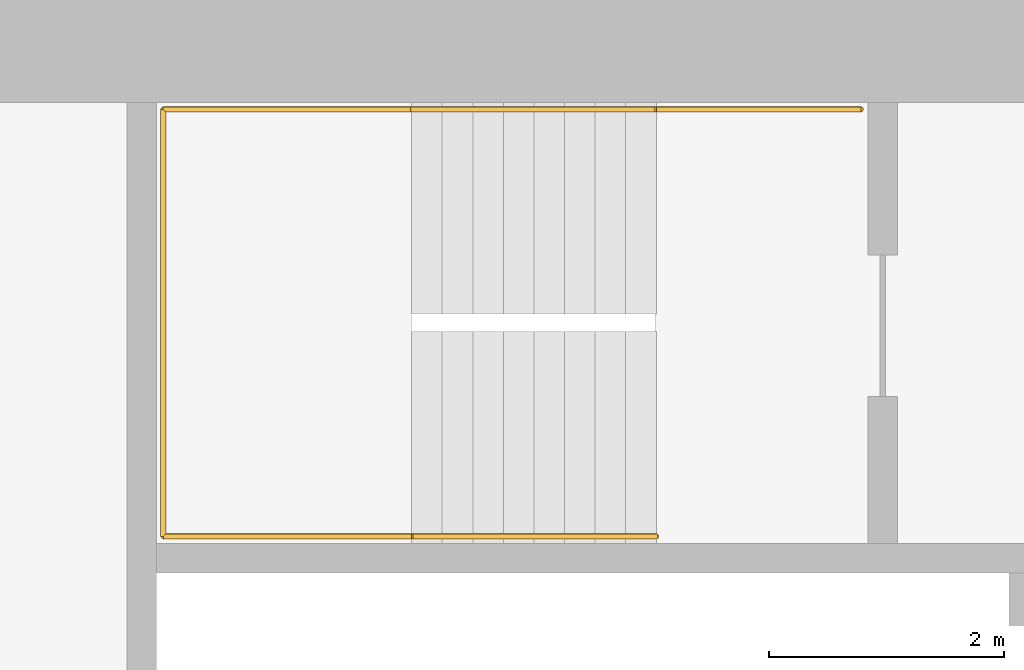
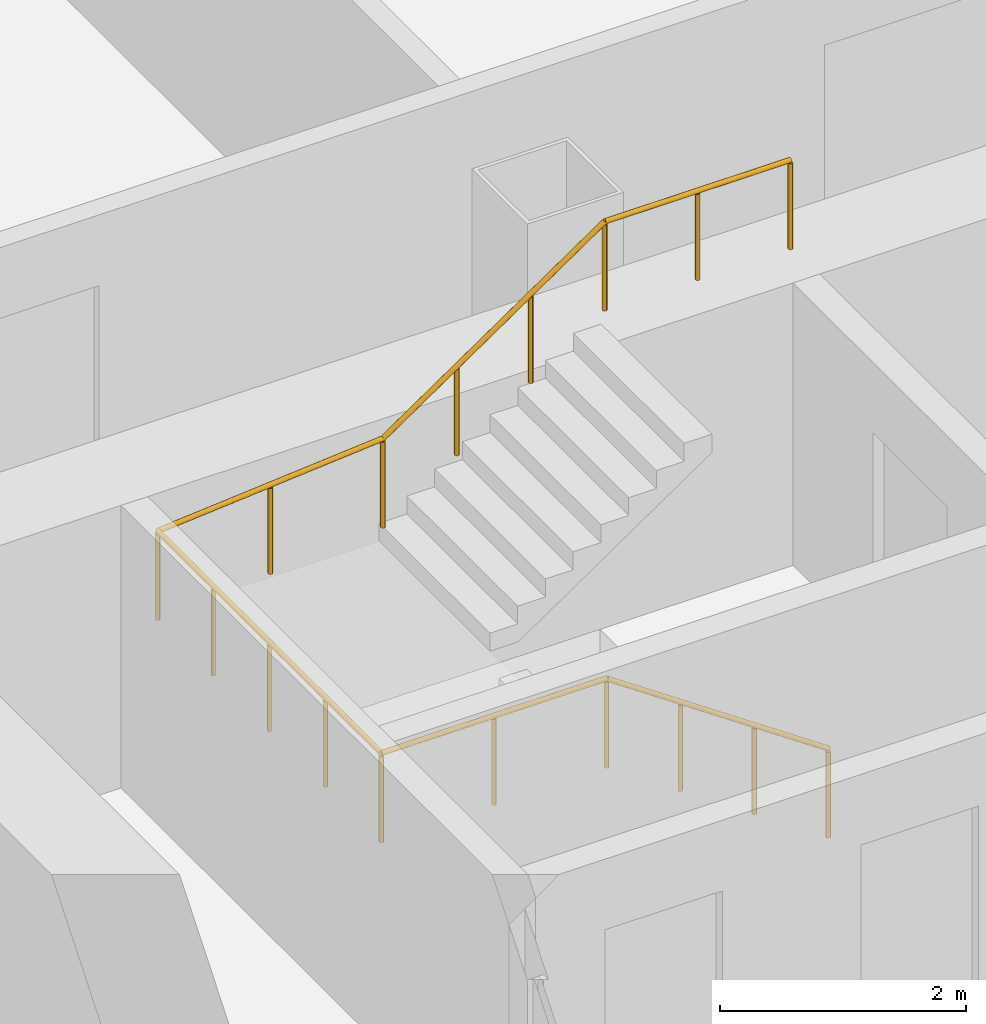
# One storey, part 29 of 34: 1 railing.
"""IFC4 building model written with IfcOpenShell, lengths in metres."""

from ifc_helpers import new_model, si_unit, direction, frame, origin, origin_2d, place, context, subcontext, project, spatial, circle, extrude, material, type_object, element, save


model = new_model("IFC4")

# Units and contexts
model_context = context("Model", 3, precision=1e-05, world=origin(), true_north=direction((0.0, 1.0)))
body_context = subcontext(model_context, "Body", "Model", "MODEL_VIEW")
ifc_project = project(units=[si_unit("LENGTHUNIT", "METRE"), si_unit("AREAUNIT", "SQUARE_METRE"), si_unit("VOLUMEUNIT", "CUBIC_METRE"), si_unit("PLANEANGLEUNIT", "RADIAN"), si_unit("MASSUNIT", "GRAM", prefix="KILO")], contexts=[model_context])

# Site, building, storey
site_placement = place(None, origin())
site = spatial("IfcSite", under=ifc_project, at=site_placement, CompositionType="ELEMENT")
building_placement = place(site_placement, origin())
building = spatial("IfcBuilding", under=site, at=building_placement, Name="Hakoniwa Tower and Hamabe Station Hall", CompositionType="ELEMENT")
storey_placement = place(building_placement, frame((0.0, 0.0, 94.60009765625)))
storey = spatial("IfcBuildingStorey", under=building, at=storey_placement, Name="L26", CompositionType="ELEMENT", Elevation=94.60009765625)

# Railing
ifc_material = material(Name="Stainless steel SUS304", Category="steel")
railing_type = type_object("IfcRailingType", Name="STAIR HANDRAIL 900", PredefinedType="HANDRAIL", material=ifc_material)
railing_placement = place(storey_placement, frame((24.39990234375, 3.81005859375, 0.177734375)))
element("IfcRailing", 1, at=railing_placement, inside=storey, type_object=railing_type, Name="Handrail ST-3 L26 1", PredefinedType="HANDRAIL", context=body_context, shape_type="SweptSolid", body=[
    extrude(circle(Radius=0.02392578125, at=origin_2d()), frame((0.0, 0.0, 0.8759765625), z_axis=(-0.825478349766, 0.0, 0.564433781827), x_axis=(0.0, -1.0, 0.0)), (0.0, 0.0, 1.0), 2.51953125),
    extrude(circle(Radius=0.02392578125, at=origin_2d()), frame((-2.079833984375, 0.0, 2.2978515625), z_axis=(-1.0, 0.0, 0.0), x_axis=(0.0, -1.0, 0.0)), (0.0, 0.0, 1.0), 2.110107421875),
    extrude(circle(Radius=0.02392578125, at=origin_2d()), frame((-4.18994140625, 0.0, 2.2978515625), z_axis=(0.0, 1.0, 0.0), x_axis=(-1.0, 0.0, 0.0)), (0.0, 0.0, 1.0), 3.6298828125),
    extrude(circle(Radius=0.02392578125, at=origin_2d()), frame((-4.18994140625, 3.6298828125, 2.2978515625), z_axis=(0.996471417081, 0.0, 0.083932800143), x_axis=(0.0, 1.0, 0.0)), (0.0, 0.0, 1.0), 2.11767578125),
    extrude(circle(Radius=0.02392578125, at=origin_2d()), frame((-2.079833984375, 3.6298828125, 2.4755859375), z_axis=(0.825433201882, 0.0, 0.564499804456), x_axis=(0.0, 1.0, 0.0)), (0.0, 0.0, 1.0), 2.519775390625),
    extrude(circle(Radius=0.02392578125, at=origin_2d()), frame((0.0, 3.6298828125, 3.89794921875), z_axis=(1.0, 0.0, 0.0), x_axis=(0.0, 1.0, 0.0)), (0.0, 0.0, 1.0), 1.739990234375),
    extrude(circle(Radius=0.02099609375, at=origin_2d()), origin(), (0.0, 0.0, 1.0), 0.851806640625),
    extrude(circle(Radius=0.02099609375, at=origin_2d()), frame((-0.693359375, 0.0, 0.47412109375)), (0.0, 0.0, 1.0), 0.851806640625),
    extrude(circle(Radius=0.02099609375, at=origin_2d()), frame((-1.386474609375, 0.0, 0.947998046875)), (0.0, 0.0, 1.0), 0.851806640625),
    extrude(circle(Radius=0.02099609375, at=origin_2d()), frame((-2.079833984375, 0.0, 1.422119140625)), (0.0, 0.0, 1.0), 0.851806640625),
    extrude(circle(Radius=0.02099609375, at=origin_2d()), frame((-3.134765625, 0.0, 1.422119140625)), (0.0, 0.0, 1.0), 0.851806640625),
    extrude(circle(Radius=0.02099609375, at=origin_2d()), frame((-4.18994140625, 0.0, 1.422119140625)), (0.0, 0.0, 1.0), 0.851806640625),
    extrude(circle(Radius=0.02099609375, at=origin_2d()), frame((-4.18994140625, 0.907470703125, 1.422119140625)), (0.0, 0.0, 1.0), 0.851806640625),
    extrude(circle(Radius=0.02099609375, at=origin_2d()), frame((-4.18994140625, 1.81494140625, 1.422119140625)), (0.0, 0.0, 1.0), 0.851806640625),
    extrude(circle(Radius=0.02099609375, at=origin_2d()), frame((-4.18994140625, 2.722412109375, 1.422119140625)), (0.0, 0.0, 1.0), 0.851806640625),
    extrude(circle(Radius=0.02099609375, at=origin_2d()), frame((-4.18994140625, 3.6298828125, 1.422119140625)), (0.0, 0.0, 1.0), 0.851806640625),
    extrude(circle(Radius=0.02099609375, at=origin_2d()), frame((-3.134765625, 3.6298828125, 1.510986328125)), (0.0, 0.0, 1.0), 0.851806640625),
    extrude(circle(Radius=0.02099609375, at=origin_2d()), frame((-2.079833984375, 3.6298828125, 1.599853515625)), (0.0, 0.0, 1.0), 0.851806640625),
    extrude(circle(Radius=0.02099609375, at=origin_2d()), frame((-1.386474609375, 3.6298828125, 2.073974609375)), (0.0, 0.0, 1.0), 0.851806640625),
    extrude(circle(Radius=0.02099609375, at=origin_2d()), frame((-0.693359375, 3.6298828125, 2.548095703125)), (0.0, 0.0, 1.0), 0.851806640625),
    extrude(circle(Radius=0.02099609375, at=origin_2d()), frame((0.0, 3.6298828125, 3.022216796875)), (0.0, 0.0, 1.0), 0.851806640625),
    extrude(circle(Radius=0.02099609375, at=origin_2d()), frame((0.8701171875, 3.6298828125, 3.022216796875)), (0.0, 0.0, 1.0), 0.851806640625),
    extrude(circle(Radius=0.02099609375, at=origin_2d()), frame((1.739990234375, 3.6298828125, 3.022216796875)), (0.0, 0.0, 1.0), 0.851806640625),
])

save(model, "model.ifc")
